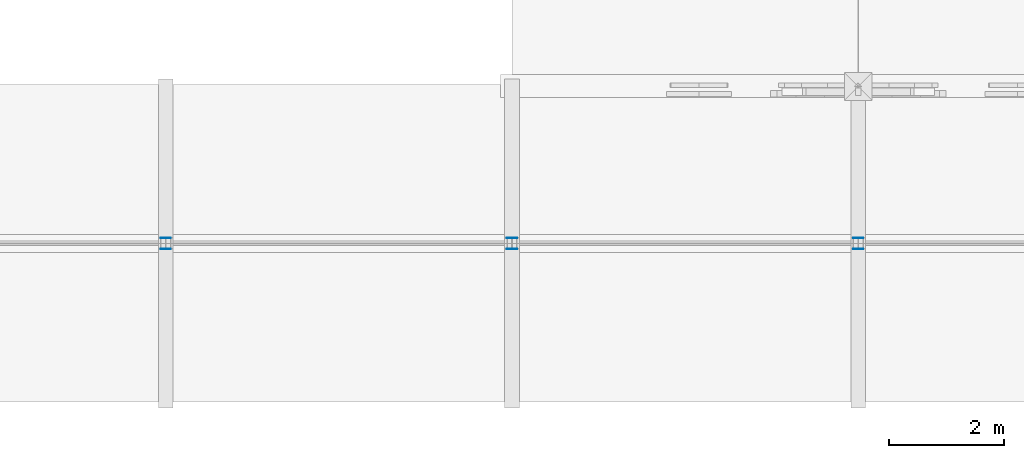
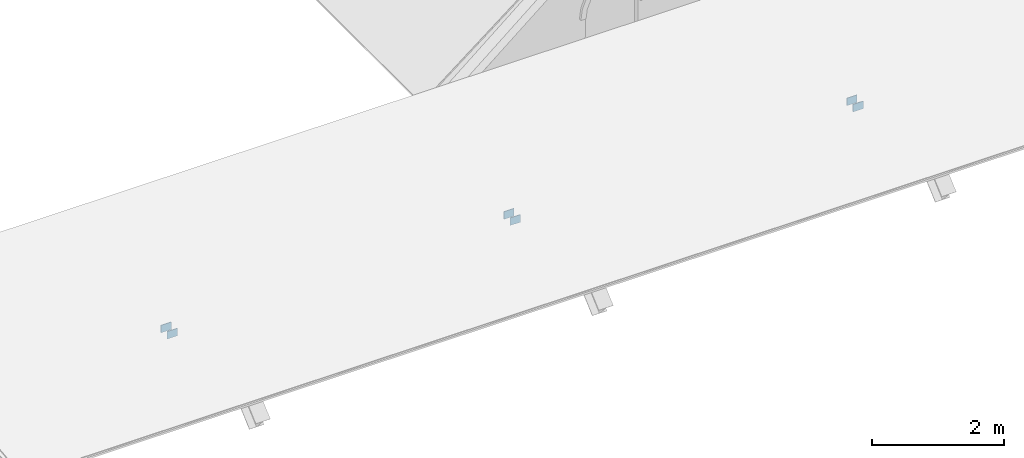
# One storey, part 83 of 108: 6 discrete accessories.
"""IFC4 building model written with IfcOpenShell, lengths in metres."""

import ifcopenshell
import ifcopenshell.guid

model = None  # the IFC model being written
_history = None  # IfcOwnerHistory: only IFC2X3 demands one
_inside = {}  # id of a spatial element -> (the spatial element, [elements in it])
_under = {}  # id of a project, library or spatial element -> (it, [spatial elements below it])
_declared = {}  # id of a project -> (the project, [libraries it declares])
_typed = {}  # id of a type object -> (the type object, [elements of that type])
_made_of = {}  # id of a material, layer set ... -> (it, [elements and type objects made of it])


def new_model(schema):
    """Start an empty IFC model of exactly this schema.

    Asked for "IFC4X3", IfcOpenShell would pick the latest addendum, in which some entities
    have other attributes; the version numbers below select the first issue.
    IFC2X3 requires an IfcOwnerHistory on every rooted entity: one is made here for all.
    """
    global model, _history
    if schema == "IFC4X3":
        model = ifcopenshell.file(schema_version=(4, 3, 0, 0))
    else:
        model = ifcopenshell.file(schema=schema)
    _inside.clear()
    _under.clear()
    _declared.clear()
    _typed.clear()
    _made_of.clear()
    _history = None
    if model.schema == "IFC2X3":
        org = make("IfcOrganization", Name="unknown")
        user = make(
            "IfcPersonAndOrganization",
            ThePerson=make("IfcPerson", FamilyName="unknown"),
            TheOrganization=org,
        )
        app = make(
            "IfcApplication",
            ApplicationDeveloper=org,
            Version="unknown",
            ApplicationFullName="unknown",
            ApplicationIdentifier="unknown",
        )
        _history = make(
            "IfcOwnerHistory",
            OwningUser=user,
            OwningApplication=app,
            ChangeAction="ADDED",
            CreationDate=0,
        )
    return model


def make(cls, **values):
    """One entity of the class cls with the attributes given. An attribute that is None is left unset."""
    return model.create_entity(
        cls, **{name: value for name, value in values.items() if value is not None}
    )


def rooted(cls, **values):
    """An entity with a GlobalId (a new one), such as an element, a storey or a relation."""
    return make(cls, GlobalId=ifcopenshell.guid.new(), OwnerHistory=_history, **values)


def si_unit(unit_type, name, prefix=None):
    """IfcSIUnit, for example si_unit("LENGTHUNIT", "METRE", prefix="MILLI")."""
    return make("IfcSIUnit", UnitType=unit_type, Prefix=prefix, Name=name)


def assignment(units):
    """IfcUnitAssignment: the units of a project."""
    return None if units is None else make("IfcUnitAssignment", Units=units)


def point(xyz):
    """IfcCartesianPoint."""
    return None if xyz is None else make("IfcCartesianPoint", Coordinates=xyz)


def direction(xyz):
    """IfcDirection."""
    return None if xyz is None else make("IfcDirection", DirectionRatios=xyz)


def frame(location, z_axis=None, x_axis=None):
    """IfcAxis2Placement3D, a coordinate frame: its origin and axes. An axis left out is left unset."""
    return make(
        "IfcAxis2Placement3D",
        Location=point(location),
        Axis=direction(z_axis),
        RefDirection=direction(x_axis),
    )


def frame_2d(location, x_axis=None):
    """IfcAxis2Placement2D, a coordinate frame in the plane: its origin and x axis."""
    return make(
        "IfcAxis2Placement2D", Location=point(location), RefDirection=direction(x_axis)
    )


def origin():
    """The frame at (0, 0, 0) with its axes left unset."""
    return frame((0.0, 0.0, 0.0))


def origin_2d():
    """The frame at (0, 0) in the plane with its x axis left unset."""
    return frame_2d((0.0, 0.0))


def place(relative_to, where):
    """IfcLocalPlacement: puts the frame where relative to a parent placement (None: the world)."""
    return make(
        "IfcLocalPlacement", PlacementRelTo=relative_to, RelativePlacement=where
    )


def context(
    kind, dimensions, precision=None, world=None, true_north=None, identifier=None
):
    """IfcGeometricRepresentationContext, for example the 3D "Model" context."""
    return make(
        "IfcGeometricRepresentationContext",
        ContextIdentifier=identifier,
        ContextType=kind,
        CoordinateSpaceDimension=dimensions,
        Precision=precision,
        WorldCoordinateSystem=world,
        TrueNorth=true_north,
    )


def subcontext(parent, identifier, kind, view, scale=None):
    """IfcGeometricRepresentationSubContext, for example "Body" below "Model"."""
    return make(
        "IfcGeometricRepresentationSubContext",
        ContextIdentifier=identifier,
        ContextType=kind,
        ParentContext=parent,
        TargetScale=scale,
        TargetView=view,
    )


def project(units=None, contexts=None):
    """IfcProject with its units and contexts."""
    return rooted(
        "IfcProject",
        Name="project",
        RepresentationContexts=contexts,
        UnitsInContext=assignment(units),
    )


def spatial(cls, under=None, at=None, **own):
    """A site, building, storey or space (cls), placed at a placement, below another one or the project."""
    s = rooted(cls, ObjectPlacement=at, **own)
    if under is not None:
        _under.setdefault(under.id(), (under, []))[1].append(s)
    return s


def profile(cls, at=None, kind="AREA", **sizes):
    """A parametric profile (cls). Its sizes go by their IFC names, for example OverallWidth=200.0."""
    return make(cls, ProfileType=kind, Position=at, **sizes)


def rectangle(**sizes):
    """IfcRectangleProfileDef."""
    return profile("IfcRectangleProfileDef", **sizes)


def extrude(swept, where, along, depth):
    """IfcExtrudedAreaSolid: the profile swept, set in the frame where, extruded along a direction by depth."""
    return make(
        "IfcExtrudedAreaSolid",
        SweptArea=swept,
        Position=where,
        ExtrudedDirection=direction(along),
        Depth=depth,
    )


def shape(context_of_items, identifier, shape_type, items):
    """IfcShapeRepresentation: the items that make up one representation, for example the "Body"."""
    return make(
        "IfcShapeRepresentation",
        ContextOfItems=context_of_items,
        RepresentationIdentifier=identifier,
        RepresentationType=shape_type,
        Items=items,
    )


def material(Name=None, Category=None):
    """IfcMaterial."""
    return make("IfcMaterial", Name=Name, Category=Category)


def made_of(thing, what):
    """Note that an element or type object is made of a material, layer set ...; save() writes the relation."""
    if what is not None:
        _made_of.setdefault(what.id(), (what, []))[1].append(thing)
    return thing


def type_object(cls, material=None, **own):
    """A type object (cls), such as IfcWallType, which elements share."""
    return made_of(rooted(cls, **own), material)


def element(
    cls,
    number,
    at=None,
    inside=None,
    cuts=None,
    type_object=None,
    material=None,
    context=None,
    identifier="Body",
    shape_type=None,
    held_by="IfcProductDefinitionShape",
    body=None,
    shapes=None,
    **own,
):
    """One element of the class cls, such as IfcWall. Its Tag is "e" and its number.

    at: its placement. inside: the storey or other place that contains it. cuts: it is an
    opening in that element (IfcRelVoidsElement). A single representation is given by context,
    identifier, shape_type and body (its items); several are given by shapes. held_by: the class
    of the entity that holds the representations. save() writes the other relations.
    """
    e = rooted(cls, Tag="e%d" % number, ObjectPlacement=at, **own)
    if body is not None:
        shapes = [shape(context, identifier, shape_type, body)]
    if shapes is not None:
        e.Representation = make(held_by, Representations=shapes)
    if inside is not None:
        _inside.setdefault(inside.id(), (inside, []))[1].append(e)
    if cuts is not None:
        rooted(
            "IfcRelVoidsElement", RelatingBuildingElement=cuts, RelatedOpeningElement=e
        )
    if type_object is not None:
        _typed.setdefault(type_object.id(), (type_object, []))[1].append(e)
    return made_of(e, material)


def aggregate(whole, parts):
    """IfcRelAggregates: a whole, such as a stair, and the parts it consists of."""
    return rooted("IfcRelAggregates", RelatingObject=whole, RelatedObjects=parts)


def save(model, path):
    """Write the relations noted so far, then the file.

    IfcRelAggregates (storeys below a building ...), IfcRelContainedInSpatialStructure (elements
    in a storey), IfcRelDefinesByType, IfcRelAssociatesMaterial and IfcRelDeclares: one each for
    every whole, place, type object, material and project.
    """
    for whole, parts in _under.values():
        aggregate(whole, parts)
    for where, things in _inside.values():
        rooted(
            "IfcRelContainedInSpatialStructure",
            RelatedElements=things,
            RelatingStructure=where,
        )
    for kind, things in _typed.values():
        rooted("IfcRelDefinesByType", RelatedObjects=things, RelatingType=kind)
    for what, things in _made_of.values():
        rooted("IfcRelAssociatesMaterial", RelatedObjects=things, RelatingMaterial=what)
    for by, libraries in _declared.values():
        rooted("IfcRelDeclares", RelatingContext=by, RelatedDefinitions=libraries)
    model.write(path)


model = new_model("IFC4")

# Units and contexts
model_context = context("Model", 3, precision=1e-05, world=origin(), true_north=direction((0.0, 1.0)))
body_context = subcontext(model_context, "Body", "Model", "MODEL_VIEW")
ifc_project = project(units=[si_unit("LENGTHUNIT", "METRE"), si_unit("AREAUNIT", "SQUARE_METRE"), si_unit("VOLUMEUNIT", "CUBIC_METRE"), si_unit("PLANEANGLEUNIT", "RADIAN"), si_unit("MASSUNIT", "GRAM", prefix="KILO")], contexts=[model_context])

# Site, building, storey
site_placement = place(None, origin())
site = spatial("IfcSite", under=ifc_project, at=site_placement, CompositionType="ELEMENT")
building_placement = place(site_placement, origin())
building = spatial("IfcBuilding", under=site, at=building_placement, Name="Cumevento Cable Car Station", CompositionType="ELEMENT")
storey_placement = place(building_placement, frame((0.0, 0.0, 13.5)))
storey = spatial("IfcBuildingStorey", under=building, at=storey_placement, Name="L04", CompositionType="ELEMENT", Elevation=13.5)

# Discrete accessories
ifc_material = material(Name="Steel ASTM A572 Grade 50", Category="steel")
discrete_accessory_type = type_object("IfcDiscreteAccessoryType", Name="King Post Foot Cleat Plate KC-01", PredefinedType="BRACKET", material=ifc_material)
for number, where, z_axis, x_axis, name in (
    (1, (52.0, 6.655029296875, -0.0009765625), (0.0, 0.0, 1.0), (0.0, 1.0, 0.0), "King Post Foot Cleat Plate #1"),
    (2, (52.0, 6.844970703125, -0.0009765625), (0.0, 0.0, 1.0), (0.0, 1.0, 0.0), "King Post Foot Cleat Plate #2"),
    (3, (58.0, 6.655029296875, -0.0009765625), (0.0, 0.0, 1.0), (0.0, 1.0, 0.0), "King Post Foot Cleat Plate #3"),
    (4, (58.0, 6.844970703125, -0.0009765625), (0.0, 0.0, 1.0), (0.0, 1.0, 0.0), "King Post Foot Cleat Plate #4"),
    (5, (64.0, 6.655029296875, -0.0009765625), (0.0, 0.0, 1.0), (0.0, 1.0, 0.0), "King Post Foot Cleat Plate #5"),
    (6, (64.0, 6.844970703125, -0.0009765625), (0.0, 0.0, 1.0), (0.0, 1.0, 0.0), "King Post Foot Cleat Plate #6"),
):
    element("IfcDiscreteAccessory", number, at=place(storey_placement, frame(where, z_axis=z_axis, x_axis=x_axis)), inside=storey, type_object=discrete_accessory_type, Name=name, PredefinedType="BRACKET", context=body_context, shape_type="SweptSolid", body=[
        extrude(rectangle(XDim=0.011962890625, YDim=0.179931640625, at=origin_2d()), origin(), (0.0, 0.0, 1.0), 0.139892578125),
    ])

save(model, "model.ifc")
